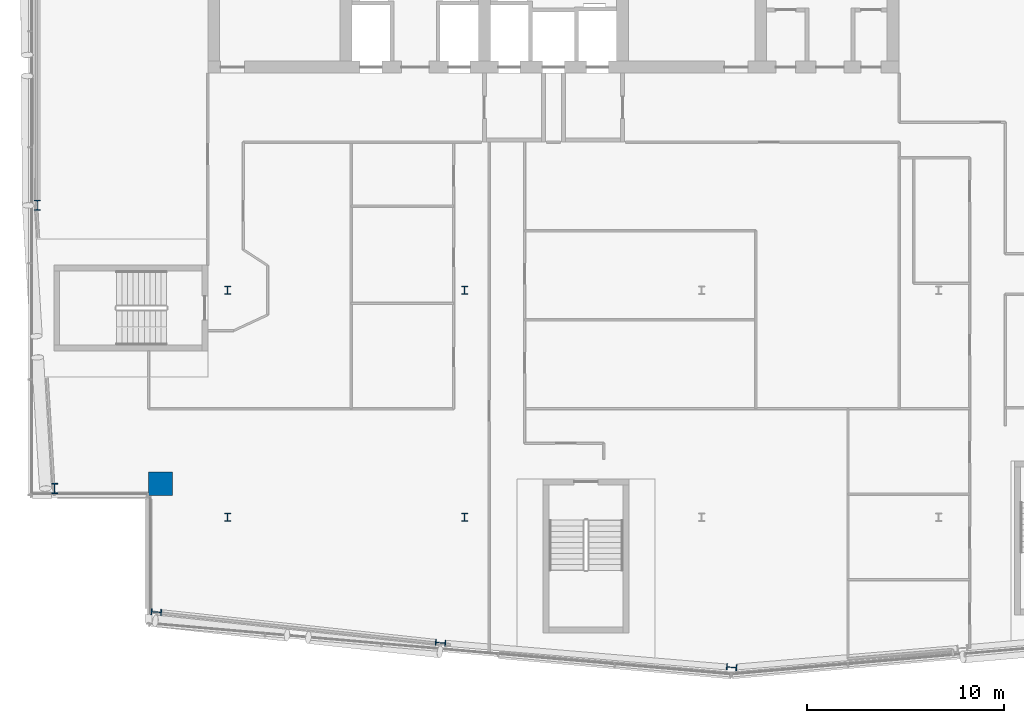
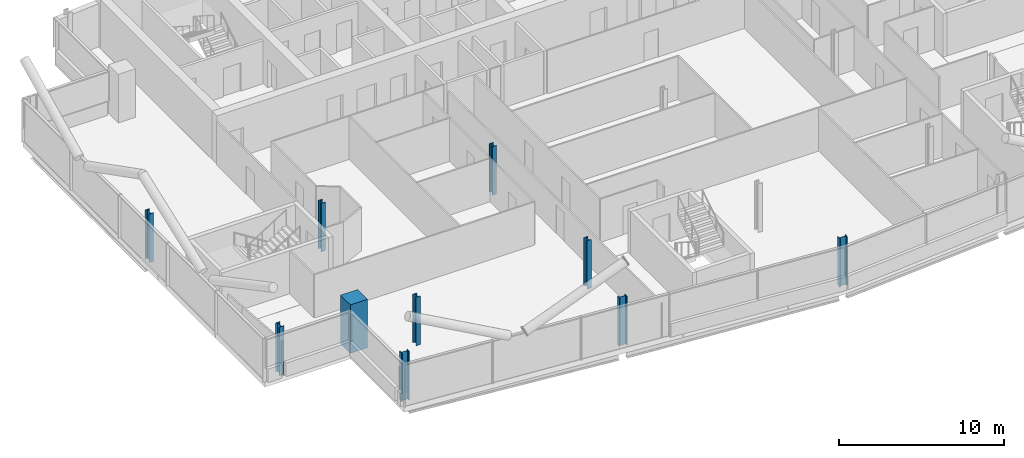
# One storey, part 1 of 27: 10 columns.
"""IFC4 building model written with IfcOpenShell, lengths in metres."""

from ifc_helpers import new_model, si_unit, direction, frame, origin, origin_2d, place, context, subcontext, project, spatial, rectangle, i_section, extrude, material, material_profile, profile_set, type_object, element, save


model = new_model("IFC4")

# Units and contexts
model_context = context("Model", 3, precision=1e-05, world=origin(), true_north=direction((0.0, 1.0)))
body_context = subcontext(model_context, "Body", "Model", "MODEL_VIEW")
ifc_project = project(units=[si_unit("LENGTHUNIT", "METRE"), si_unit("AREAUNIT", "SQUARE_METRE"), si_unit("VOLUMEUNIT", "CUBIC_METRE"), si_unit("PLANEANGLEUNIT", "RADIAN"), si_unit("MASSUNIT", "GRAM", prefix="KILO")], contexts=[model_context])

# Site, building, storey
site_placement = place(None, origin())
site = spatial("IfcSite", under=ifc_project, at=site_placement, CompositionType="ELEMENT")
building_placement = place(site_placement, origin())
building = spatial("IfcBuilding", under=site, at=building_placement, Name="Wharfspan Tower", CompositionType="ELEMENT")
storey_placement = place(building_placement, frame((0.0, 0.0, 221.5)))
storey = spatial("IfcBuildingStorey", under=building, at=storey_placement, Name="L55", CompositionType="ELEMENT", Elevation=221.5)

# Columns
ifc_material_1 = material(Name="Steel S355J2", Category="steel")
ifc_material_profile_1 = material_profile(ifc_material_1, i_section(OverallWidth=0.300049, OverallDepth=0.399902, WebThickness=0.013428, FlangeThickness=0.023926, FilletRadius=0.0271, at=origin_2d()))
ifc_profile_set_1 = profile_set([ifc_material_profile_1], Name="Steel S355J2")
column_type_1 = type_object("IfcColumnType", Name="Column HEB 400", PredefinedType="COLUMN", material=ifc_profile_set_1)
for number, where, z_axis, x_axis, name in (
    (1, (24.0, 11.5, 0.0), (0.0, 0.0, 1.0), (1.0, 0.0, 0.0), "Interior column I.1.1 L55"),
    (2, (36.0, 11.5, 0.0), (0.0, 0.0, 1.0), (1.0, 0.0, 0.0), "Interior column I.1.2 L55"),
    (3, (24.0, 23.0, 0.0), (0.0, 0.0, 1.0), (1.0, 0.0, 0.0), "Interior column I.2.1 L55"),
    (4, (36.0, 23.0, 0.0), (0.0, 0.0, 1.0), (1.0, 0.0, 0.0), "Interior column I.2.2 L55"),
):
    element("IfcColumn", number, at=place(storey_placement, frame(where, z_axis=z_axis, x_axis=x_axis)), inside=storey, type_object=column_type_1, Name=name, PredefinedType="COLUMN", context=body_context, shape_type="SweptSolid", body=[
        extrude(i_section(OverallWidth=0.300049, OverallDepth=0.399902, WebThickness=0.013428, FlangeThickness=0.023926, FilletRadius=0.0271, at=origin_2d()), origin(), (0.0, 0.0, 1.0), 3.600098),
    ])
ifc_material_profile_2 = material_profile(ifc_material_1, i_section(OverallWidth=0.305908, OverallDepth=0.523926, WebThickness=0.020996, FlangeThickness=0.040039, FilletRadius=0.0271, at=origin_2d()))
ifc_profile_set_2 = profile_set([ifc_material_profile_2], Name="Steel S355J2")
column_type_2 = type_object("IfcColumnType", Name="Column HEM 500", PredefinedType="COLUMN", material=ifc_profile_set_2)
for number, where, z_axis, x_axis, name in (
    (5, (20.392334, 6.702637, 0.0), (0.0, 0.0, 1.0), (-0.087156, -0.996197, 0.0), "Perimeter column PS1.1 L55"),
    (6, (34.781494, 5.143311, 0.0), (0.0, 0.0, 1.0), (-0.087156, -0.996197, 0.0), "Perimeter column PS1.2 L55"),
    (7, (49.522949, 3.9021, 0.0), (0.0, 0.0, 1.0), (-0.087156, -0.996197, 0.0), "Perimeter column PS1.3 L55"),
    (8, (14.360107, 27.300049, 0.0), (0.0, 0.0, 1.0), (-1.0, 0.0, 0.0), "Perimeter column PW.1 L55"),
    (9, (15.237793, 12.963379, 0.0), (0.0, 0.0, 1.0), (-1.0, 0.0, 0.0), "Perimeter column PW.2 L55"),
):
    element("IfcColumn", number, at=place(storey_placement, frame(where, z_axis=z_axis, x_axis=x_axis)), inside=storey, type_object=column_type_2, Name=name, PredefinedType="COLUMN", context=body_context, shape_type="SweptSolid", body=[
        extrude(i_section(OverallWidth=0.305908, OverallDepth=0.523926, WebThickness=0.020996, FlangeThickness=0.040039, FilletRadius=0.0271, at=origin_2d()), origin(), (0.0, 0.0, 1.0), 3.600098),
    ])
ifc_material_2 = material(Name="Concrete C50/60", Category="concrete")
ifc_material_profile_3 = material_profile(ifc_material_2, rectangle(XDim=1.199951, YDim=1.199951, at=origin_2d()))
ifc_profile_set_3 = profile_set([ifc_material_profile_3], Name="Concrete C50/60")
column_type_3 = type_object("IfcColumnType", Name="Mega column 1200 C50/60", PredefinedType="COLUMN", material=ifc_profile_set_3)
column_placement = place(storey_placement, frame((20.600098, 13.199951, 0.0), z_axis=(0.0, 0.0, 1.0), x_axis=(1.0, 0.0, 0.0)))
element("IfcColumn", 10, at=column_placement, inside=storey, type_object=column_type_3, Name="Mega column MC1 L55", PredefinedType="COLUMN", context=body_context, shape_type="SweptSolid", body=[
    extrude(rectangle(XDim=1.199951, YDim=1.199951, at=origin_2d()), origin(), (0.0, 0.0, 1.0), 3.600098),
])

save(model, "model.ifc")
